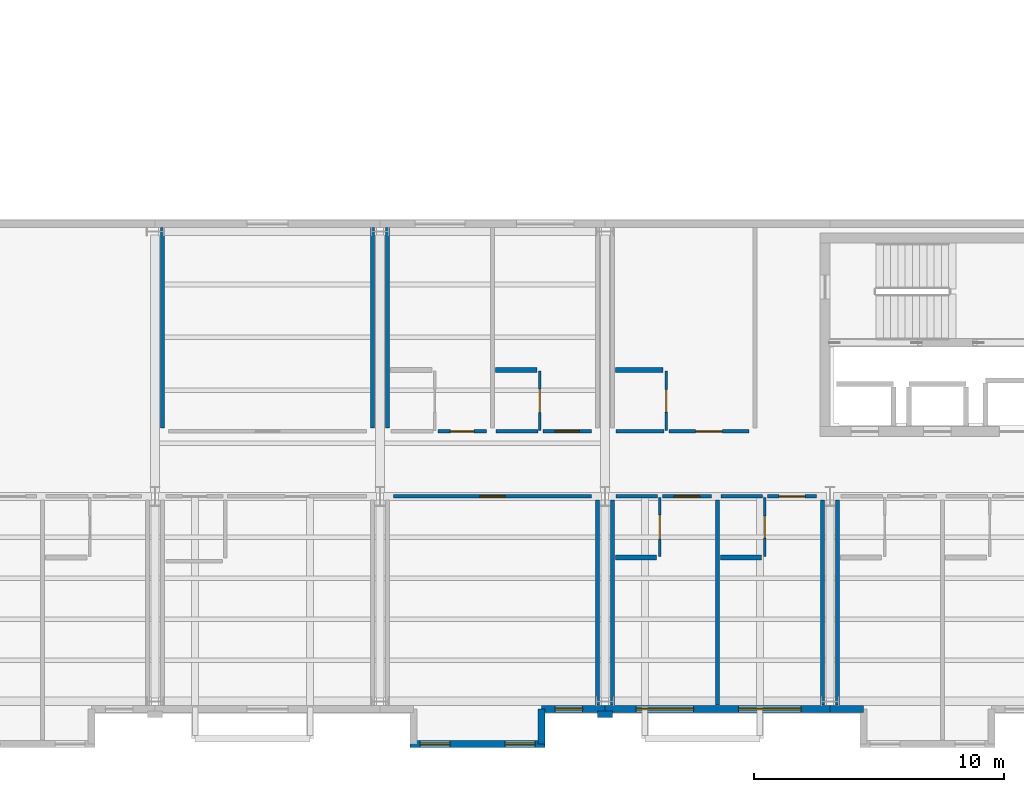
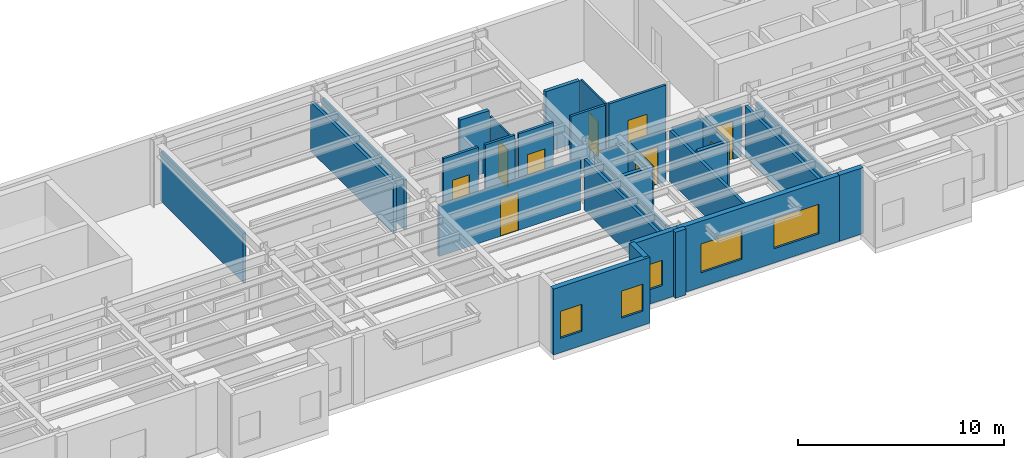
# One storey, part 39 of 59: 32 walls, 10 doors, 5 windows, 15 openings.
"""IFC4 building model written with IfcOpenShell, lengths in metres."""

from ifc_helpers import new_model, si_unit, direction, frame, frame_2d, origin, place, context, subcontext, project, spatial, rectangle, extrude, material, layer, layer_set, type_object, element, fill, save


model = new_model("IFC4")

# Units and contexts
model_context = context("Model", 3, precision=1e-05, world=origin(), true_north=direction((0.0, 1.0)))
body_context = subcontext(model_context, "Body", "Model", "MODEL_VIEW")
ifc_project = project(units=[si_unit("LENGTHUNIT", "METRE"), si_unit("AREAUNIT", "SQUARE_METRE"), si_unit("VOLUMEUNIT", "CUBIC_METRE"), si_unit("PLANEANGLEUNIT", "RADIAN"), si_unit("MASSUNIT", "GRAM", prefix="KILO")], contexts=[model_context])

# Site, building, storey
site_placement = place(None, origin())
site = spatial("IfcSite", under=ifc_project, at=site_placement, CompositionType="ELEMENT")
building_placement = place(site_placement, origin())
building = spatial("IfcBuilding", under=site, at=building_placement, Name="Sollismere Congress Hotel", CompositionType="ELEMENT")
storey_placement = place(building_placement, frame((0.0, 0.0, 15.60009765625)))
storey = spatial("IfcBuildingStorey", under=building, at=storey_placement, Name="L03", CompositionType="ELEMENT", Elevation=15.60009765625)

# Wall, opening, window
ifc_material_1 = material(Name="Colorado Buff Sandstone Rainscreen on Insulated Backup", Category="masonry")
ifc_layer_1 = layer(ifc_material_1, 0.284912109375, Name="Colorado Buff Sandstone Rainscreen on Insulated Backup")
ifc_layer_set_1 = layer_set([ifc_layer_1], Name="Colorado Buff Sandstone Rainscreen on Insulated Backup")
wall_type_1 = type_object("IfcWallType", Name="WL-EXT285", PredefinedType="STANDARD", material=ifc_layer_set_1)
wall_1_placement = place(storey_placement, frame((82.4599609375, -0.31005859375, 0.0), z_axis=(0.0, 0.0, 1.0), x_axis=(1.0, 0.0, 0.0)))
wall_1 = element("IfcWall", 1, at=wall_1_placement, inside=storey, type_object=wall_type_1, Name="Exterior wall EW-L03-404", PredefinedType="STANDARD", context=body_context, shape_type="SweptSolid", body=[
    extrude(rectangle(XDim=2.5400390625, YDim=0.284912109375, at=frame_2d((1.27001953125, 0.0))), origin(), (0.0, 0.0, 1.0), 3.89990234375),
])
opening_1_placement = place(wall_1_placement, frame((0.544921875, 0.0, 0.85009765625)))
opening_1 = element("IfcOpeningElement", 2, at=opening_1_placement, cuts=wall_1, Name="Opening W-L03-318", PredefinedType="OPENING", context=body_context, shape_type="SweptSolid", body=[
    extrude(rectangle(XDim=1.10009765625, YDim=1.5, at=frame_2d((0.550048828125, 0.75))), frame((0.0, 0.15234375, 0.0), z_axis=(0.0, -1.0, 0.0), x_axis=(1.0, 0.0, 0.0)), (0.0, 0.0, 1.0), 0.304931640625),
])
ifc_material_2 = material(Name="Thermally Broken Bronze Aluminum & Low-E Glass", Category="aluminium")
window_type_1 = type_object("IfcWindowType", Name="WN-P110x150", PartitioningType="SINGLE_PANEL", PredefinedType="WINDOW", material=ifc_material_2)
window_1_placement = place(opening_1_placement, origin())
window_1 = element("IfcWindow", 3, at=window_1_placement, inside=storey, type_object=window_type_1, Name="WIN-W-L03-318", OverallHeight=1.5, OverallWidth=1.10009765625, PartitioningType="SINGLE_PANEL", PredefinedType="WINDOW", context=body_context, shape_type="SweptSolid", body=[
    extrude(rectangle(XDim=1.10009765625, YDim=1.5, at=frame_2d((0.550048828125, 0.75))), frame((0.0, 0.030029296875, 0.0), z_axis=(0.0, -1.0, 0.0), x_axis=(1.0, 0.0, 0.0)), (0.0, 0.0, 1.0), 0.06005859375),
])
fill(opening_1, window_1)

# Wall, openings, windows
wall_2_placement = place(storey_placement, frame((77.199951171875, -1.699951171875, 0.0), z_axis=(0.0, 0.0, 1.0), x_axis=(1.0, 0.0, 0.0)))
wall_2 = element("IfcWall", 4, at=wall_2_placement, inside=storey, type_object=wall_type_1, Name="Exterior wall EW-L03-405", PredefinedType="STANDARD", context=body_context, shape_type="SweptSolid", body=[
    extrude(rectangle(XDim=5.400146484375, YDim=0.284912109375, at=frame_2d((2.7001953125, 0.0))), origin(), (0.0, 0.0, 1.0), 3.89990234375),
])
opening_2_placement = place(wall_2_placement, frame((0.39990234375, 0.0, 0.85009765625)))
opening_2 = element("IfcOpeningElement", 5, at=opening_2_placement, cuts=wall_2, Name="Opening W-L03-319", PredefinedType="OPENING", context=body_context, shape_type="SweptSolid", body=[
    extrude(rectangle(XDim=1.199951171875, YDim=1.60009765625, at=frame_2d((0.60009765625, 0.800048828125))), frame((0.0, 0.15234375, 0.0), z_axis=(0.0, -1.0, 0.0), x_axis=(1.0, 0.0, 0.0)), (0.0, 0.0, 1.0), 0.304931640625),
])
opening_3_placement = place(wall_2_placement, frame((3.800048828125, 0.0, 0.85009765625)))
opening_3 = element("IfcOpeningElement", 6, at=opening_3_placement, cuts=wall_2, Name="Opening W-L03-320", PredefinedType="OPENING", context=body_context, shape_type="SweptSolid", body=[
    extrude(rectangle(XDim=1.199951171875, YDim=1.60009765625, at=frame_2d((0.60009765625, 0.800048828125))), frame((0.0, 0.15234375, 0.0), z_axis=(0.0, -1.0, 0.0), x_axis=(1.0, 0.0, 0.0)), (0.0, 0.0, 1.0), 0.304931640625),
])
window_type_2 = type_object("IfcWindowType", Name="WN-P120x160", PartitioningType="SINGLE_PANEL", PredefinedType="WINDOW", material=ifc_material_2)
window_2_placement = place(opening_2_placement, origin())
window_2 = element("IfcWindow", 7, at=window_2_placement, inside=storey, type_object=window_type_2, Name="WIN-W-L03-319", OverallHeight=1.60009765625, OverallWidth=1.199951171875, PartitioningType="SINGLE_PANEL", PredefinedType="WINDOW", context=body_context, shape_type="SweptSolid", body=[
    extrude(rectangle(XDim=1.199951171875, YDim=1.60009765625, at=frame_2d((0.60009765625, 0.800048828125))), frame((0.0, 0.030029296875, 0.0), z_axis=(0.0, -1.0, 0.0), x_axis=(1.0, 0.0, 0.0)), (0.0, 0.0, 1.0), 0.06005859375),
])
fill(opening_2, window_2)
window_3_placement = place(opening_3_placement, origin())
window_3 = element("IfcWindow", 8, at=window_3_placement, inside=storey, type_object=window_type_2, Name="WIN-W-L03-320", OverallHeight=1.60009765625, OverallWidth=1.199951171875, PartitioningType="SINGLE_PANEL", PredefinedType="WINDOW", context=body_context, shape_type="SweptSolid", body=[
    extrude(rectangle(XDim=1.199951171875, YDim=1.60009765625, at=frame_2d((0.60009765625, 0.800048828125))), frame((0.0, 0.030029296875, 0.0), z_axis=(0.0, -1.0, 0.0), x_axis=(1.0, 0.0, 0.0)), (0.0, 0.0, 1.0), 0.06005859375),
])
fill(opening_3, window_3)

# Wall
wall_3_placement = place(storey_placement, frame((82.4599609375, -1.699951171875, 0.0), z_axis=(0.0, 0.0, 1.0), x_axis=(0.0, 1.0, 0.0)))
element("IfcWall", 9, at=wall_3_placement, inside=storey, type_object=wall_type_1, Name="Exterior wall EW-L03-407", PredefinedType="STANDARD", context=body_context, shape_type="SweptSolid", body=[
    extrude(rectangle(XDim=1.389892578125, YDim=0.284912109375, at=frame_2d((0.69482421875, 0.0))), origin(), (0.0, 0.0, 1.0), 3.89990234375),
])

# Wall, openings, windows
wall_4_placement = place(storey_placement, frame((85.0, -0.31005859375, 0.0), z_axis=(0.0, 0.0, 1.0), x_axis=(1.0, 0.0, 0.0)))
wall_4 = element("IfcWall", 10, at=wall_4_placement, inside=storey, type_object=wall_type_1, Name="Exterior wall EW-L03-408", PredefinedType="STANDARD", context=body_context, shape_type="SweptSolid", body=[
    extrude(rectangle(XDim=9.0, YDim=0.284912109375, at=frame_2d((4.5, 0.0))), origin(), (0.0, 0.0, 1.0), 3.89990234375),
])
opening_4_placement = place(wall_4_placement, frame((1.25, 0.0, 0.85009765625)))
opening_4 = element("IfcOpeningElement", 11, at=opening_4_placement, cuts=wall_4, Name="Opening W-L03-321", PredefinedType="OPENING", context=body_context, shape_type="SweptSolid", body=[
    extrude(rectangle(XDim=2.300048828125, YDim=1.699951171875, at=frame_2d((1.14990234375, 0.85009765625))), frame((0.0, 0.15234375, 0.0), z_axis=(0.0, -1.0, 0.0), x_axis=(1.0, 0.0, 0.0)), (0.0, 0.0, 1.0), 0.304931640625),
])
opening_5_placement = place(wall_4_placement, frame((5.35009765625, 0.0, 0.85009765625)))
opening_5 = element("IfcOpeningElement", 12, at=opening_5_placement, cuts=wall_4, Name="Opening W-L03-322", PredefinedType="OPENING", context=body_context, shape_type="SweptSolid", body=[
    extrude(rectangle(XDim=2.5, YDim=1.75, at=frame_2d((1.25, 0.875))), frame((0.0, 0.15234375, 0.0), z_axis=(0.0, -1.0, 0.0), x_axis=(1.0, 0.0, 0.0)), (0.0, 0.0, 1.0), 0.304931640625),
])
window_type_3 = type_object("IfcWindowType", Name="WN-P230x170", PartitioningType="SINGLE_PANEL", PredefinedType="WINDOW", material=ifc_material_2)
window_4_placement = place(opening_4_placement, origin())
window_4 = element("IfcWindow", 13, at=window_4_placement, inside=storey, type_object=window_type_3, Name="WIN-W-L03-321", OverallHeight=1.699951171875, OverallWidth=2.300048828125, PartitioningType="SINGLE_PANEL", PredefinedType="WINDOW", context=body_context, shape_type="SweptSolid", body=[
    extrude(rectangle(XDim=2.300048828125, YDim=1.699951171875, at=frame_2d((1.14990234375, 0.85009765625))), frame((0.0, 0.030029296875, 0.0), z_axis=(0.0, -1.0, 0.0), x_axis=(1.0, 0.0, 0.0)), (0.0, 0.0, 1.0), 0.06005859375),
])
fill(opening_4, window_4)
window_type_4 = type_object("IfcWindowType", Name="WN-P250x175", PartitioningType="SINGLE_PANEL", PredefinedType="WINDOW", material=ifc_material_2)
window_5_placement = place(opening_5_placement, origin())
window_5 = element("IfcWindow", 14, at=window_5_placement, inside=storey, type_object=window_type_4, Name="WIN-W-L03-322", OverallHeight=1.75, OverallWidth=2.5, PartitioningType="SINGLE_PANEL", PredefinedType="WINDOW", context=body_context, shape_type="SweptSolid", body=[
    extrude(rectangle(XDim=2.5, YDim=1.75, at=frame_2d((1.25, 0.875))), frame((0.0, 0.030029296875, 0.0), z_axis=(0.0, -1.0, 0.0), x_axis=(1.0, 0.0, 0.0)), (0.0, 0.0, 1.0), 0.06005859375),
])
fill(opening_5, window_5)

# Walls
wall_5_placement = place(storey_placement, frame((94.0, -0.31005859375, 0.0), z_axis=(0.0, 0.0, 1.0), x_axis=(1.0, 0.0, 0.0)))
element("IfcWall", 15, at=wall_5_placement, inside=storey, type_object=wall_type_1, Name="Exterior wall EW-L03-410", PredefinedType="STANDARD", context=body_context, shape_type="SweptSolid", body=[
    extrude(rectangle(XDim=1.340087890625, YDim=0.284912109375, at=frame_2d((0.669921875, 0.0))), origin(), (0.0, 0.0, 1.0), 3.89990234375),
])
ifc_material_3 = material(Name="Carved Travertine Pilaster & Frieze Assembly", Category="masonry")
ifc_layer_2 = layer(ifc_material_3, 0.260009765625, Name="Carved Travertine Pilaster & Frieze Assembly")
ifc_layer_set_2 = layer_set([ifc_layer_2], Name="Carved Travertine Pilaster & Frieze Assembly")
wall_type_2 = type_object("IfcWallType", Name="WL-PIL280", PredefinedType="ELEMENTEDWALL", material=ifc_layer_set_2)
wall_6_placement = place(storey_placement, frame((84.699951171875, -0.52001953125, 0.0), z_axis=(0.0, 0.0, 1.0), x_axis=(1.0, 0.0, 0.0)))
element("IfcWall", 16, at=wall_6_placement, inside=storey, type_object=wall_type_2, Name="Exterior wall EW-L03-409", PredefinedType="ELEMENTEDWALL", context=body_context, shape_type="SweptSolid", body=[
    extrude(rectangle(XDim=0.60009765625, YDim=0.260009765625, at=frame_2d((0.300048828125, 0.0))), origin(), (0.0, 0.0, 1.0), 3.89990234375),
])
ifc_material_4 = material(Name="Moisture-Resistant Shaft Gypsum Assembly")
ifc_layer_3 = layer(ifc_material_4, 0.199951171875, Name="Moisture-Resistant Shaft Gypsum Assembly")
ifc_layer_set_3 = layer_set([ifc_layer_3], Name="Moisture-Resistant Shaft Gypsum Assembly")
wall_type_3 = type_object("IfcWallType", Name="WL-PLM200", PredefinedType="PLUMBINGWALL", material=ifc_layer_set_3)
wall_7_placement = place(storey_placement, frame((80.6201171875, 13.25, 0.0), z_axis=(0.0, 0.0, 1.0), x_axis=(1.0, 0.0, 0.0)))
element("IfcWall", 17, at=wall_7_placement, inside=storey, type_object=wall_type_3, Name="Interior wall IW-L03-1275", PredefinedType="PLUMBINGWALL", context=body_context, shape_type="SweptSolid", body=[
    extrude(rectangle(XDim=1.64990234375, YDim=0.199951171875, at=frame_2d((0.824951171875, 0.0))), origin(), (0.0, 0.0, 1.0), 3.599853515625),
])
wall_8_placement = place(storey_placement, frame((85.419921875, 5.75, 0.0), z_axis=(0.0, 0.0, 1.0), x_axis=(1.0, 0.0, 0.0)))
element("IfcWall", 18, at=wall_8_placement, inside=storey, type_object=wall_type_3, Name="Interior wall IW-L03-1281", PredefinedType="PLUMBINGWALL", context=body_context, shape_type="SweptSolid", body=[
    extrude(rectangle(XDim=1.650146484375, YDim=0.199951171875, at=frame_2d((0.8251953125, 0.0))), origin(), (0.0, 0.0, 1.0), 3.15283203125),
])
wall_9_placement = place(storey_placement, frame((89.6201171875, 5.75, 0.0), z_axis=(0.0, 0.0, 1.0), x_axis=(1.0, 0.0, 0.0)))
element("IfcWall", 19, at=wall_9_placement, inside=storey, type_object=wall_type_3, Name="Interior wall IW-L03-1286", PredefinedType="PLUMBINGWALL", context=body_context, shape_type="SweptSolid", body=[
    extrude(rectangle(XDim=1.64990234375, YDim=0.199951171875, at=frame_2d((0.824951171875, 0.0))), origin(), (0.0, 0.0, 1.0), 3.15283203125),
])
wall_10_placement = place(storey_placement, frame((85.419921875, 13.25, 0.0), z_axis=(0.0, 0.0, 1.0), x_axis=(1.0, 0.0, 0.0)))
element("IfcWall", 20, at=wall_10_placement, inside=storey, type_object=wall_type_3, Name="Interior wall IW-L03-1292", PredefinedType="PLUMBINGWALL", context=body_context, shape_type="SweptSolid", body=[
    extrude(rectangle(XDim=1.91015625, YDim=0.199951171875, at=frame_2d((0.955078125, 0.0))), origin(), (0.0, 0.0, 1.0), 3.599853515625),
])

# Wall, opening, door
ifc_material_5 = material(Name="Moisture-Resistant Gypsum Partition")
ifc_layer_4 = layer(ifc_material_5, 0.10009765625, Name="Moisture-Resistant Gypsum Partition")
ifc_layer_set_4 = layer_set([ifc_layer_4], Name="Moisture-Resistant Gypsum Partition")
wall_type_4 = type_object("IfcWallType", Name="WL-PRT100", PredefinedType="PARTITIONING", material=ifc_layer_set_4)
wall_11_placement = place(storey_placement, frame((82.389892578125, 10.840087890625, 0.0), z_axis=(0.0, 0.0, 1.0), x_axis=(0.0, 1.0, 0.0)))
wall_11 = element("IfcWall", 21, at=wall_11_placement, inside=storey, type_object=wall_type_4, Name="Interior wall IW-L03-1274", PredefinedType="PARTITIONING", context=body_context, shape_type="SweptSolid", body=[
    extrude(rectangle(XDim=2.369873046875, YDim=0.10009765625, at=frame_2d((1.18505859375, 0.0))), origin(), (0.0, 0.0, 1.0), 3.2080078125),
])
opening_6_placement = place(wall_11_placement, frame((0.719970703125, 0.0, 0.0)))
opening_6 = element("IfcOpeningElement", 22, at=opening_6_placement, cuts=wall_11, Name="Opening D-L03-0450", PredefinedType="OPENING", context=body_context, shape_type="SweptSolid", body=[
    extrude(rectangle(XDim=0.929931640625, YDim=2.219970703125, at=frame_2d((0.46484375, 1.10986328125))), frame((0.0, 0.06005859375, 0.0), z_axis=(0.0, -1.0, 0.0), x_axis=(1.0, 0.0, 0.0)), (0.0, 0.0, 1.0), 0.1201171875),
])
ifc_material_6 = material(Name="Moisture-Sealed Timber Bathroom Door", Category="wood")
door_type_1 = type_object("IfcDoorType", Name="DR-BT07", OperationType="NOTDEFINED", PredefinedType="DOOR", material=ifc_material_6)
door_1_placement = place(opening_6_placement, origin())
door_1 = element("IfcDoor", 23, at=door_1_placement, inside=storey, type_object=door_type_1, Name="En-suite bathroom door D-L03-0450", OperationType="SINGLE_SWING_LEFT", OverallHeight=2.219970703125, OverallWidth=0.929931640625, PredefinedType="DOOR", context=body_context, shape_type="SweptSolid", body=[
    extrude(rectangle(XDim=0.929931640625, YDim=2.219970703125, at=frame_2d((0.46484375, 1.10986328125))), frame((0.0, 0.02490234375, 0.0), z_axis=(0.0, -1.0, 0.0), x_axis=(1.0, 0.0, 0.0)), (0.0, 0.0, 1.0), 0.050048828125),
])
fill(opening_6, door_1)

wall_12_placement = place(storey_placement, frame((87.18994140625, 5.7900390625, 0.0), z_axis=(0.0, 0.0, 1.0), x_axis=(0.0, 1.0, 0.0)))
wall_12 = element("IfcWall", 24, at=wall_12_placement, inside=storey, type_object=wall_type_4, Name="Interior wall IW-L03-1280", PredefinedType="PARTITIONING", context=body_context, shape_type="SweptSolid", body=[
    extrude(rectangle(XDim=2.369873046875, YDim=0.10009765625, at=frame_2d((1.18505859375, 0.0))), origin(), (0.0, 0.0, 1.0), 3.012939453125),
])
opening_7_placement = place(wall_12_placement, frame((0.7080078125, 0.0, 0.0)))
opening_7 = element("IfcOpeningElement", 25, at=opening_7_placement, cuts=wall_12, Name="Opening D-L03-0452", PredefinedType="OPENING", context=body_context, shape_type="SweptSolid", body=[
    extrude(rectangle(XDim=0.955078125, YDim=2.219970703125, at=frame_2d((0.4775390625, 1.10986328125))), frame((0.0, 0.06005859375, 0.0), z_axis=(0.0, -1.0, 0.0), x_axis=(1.0, 0.0, 0.0)), (0.0, 0.0, 1.0), 0.1201171875),
])
door_type_2 = type_object("IfcDoorType", Name="DR-BT08", OperationType="NOTDEFINED", PredefinedType="DOOR", material=ifc_material_6)
door_2_placement = place(opening_7_placement, origin())
door_2 = element("IfcDoor", 26, at=door_2_placement, inside=storey, type_object=door_type_2, Name="En-suite bathroom door D-L03-0452", OperationType="SINGLE_SWING_LEFT", OverallHeight=2.219970703125, OverallWidth=0.955078125, PredefinedType="DOOR", context=body_context, shape_type="SweptSolid", body=[
    extrude(rectangle(XDim=0.955078125, YDim=2.219970703125, at=frame_2d((0.4775390625, 1.10986328125))), frame((0.0, 0.02490234375, 0.0), z_axis=(0.0, -1.0, 0.0), x_axis=(1.0, 0.0, 0.0)), (0.0, 0.0, 1.0), 0.050048828125),
])
fill(opening_7, door_2)

wall_13_placement = place(storey_placement, frame((91.389892578125, 5.7900390625, 0.0), z_axis=(0.0, 0.0, 1.0), x_axis=(0.0, 1.0, 0.0)))
wall_13 = element("IfcWall", 27, at=wall_13_placement, inside=storey, type_object=wall_type_4, Name="Interior wall IW-L03-1285", PredefinedType="PARTITIONING", context=body_context, shape_type="SweptSolid", body=[
    extrude(rectangle(XDim=2.369873046875, YDim=0.10009765625, at=frame_2d((1.18505859375, 0.0))), origin(), (0.0, 0.0, 1.0), 3.012939453125),
])
opening_8_placement = place(wall_13_placement, frame((0.7451171875, 0.0, 0.0)))
opening_8 = element("IfcOpeningElement", 28, at=opening_8_placement, cuts=wall_13, Name="Opening D-L03-0454", PredefinedType="OPENING", context=body_context, shape_type="SweptSolid", body=[
    extrude(rectangle(XDim=0.8798828125, YDim=2.10009765625, at=frame_2d((0.43994140625, 1.050048828125))), frame((0.0, 0.06005859375, 0.0), z_axis=(0.0, -1.0, 0.0), x_axis=(1.0, 0.0, 0.0)), (0.0, 0.0, 1.0), 0.1201171875),
])
door_type_3 = type_object("IfcDoorType", Name="DR-BT01", OperationType="NOTDEFINED", PredefinedType="DOOR", material=ifc_material_6)
door_3_placement = place(opening_8_placement, origin())
door_3 = element("IfcDoor", 29, at=door_3_placement, inside=storey, type_object=door_type_3, Name="En-suite bathroom door D-L03-0454", OperationType="SINGLE_SWING_LEFT", OverallHeight=2.10009765625, OverallWidth=0.8798828125, PredefinedType="DOOR", context=body_context, shape_type="SweptSolid", body=[
    extrude(rectangle(XDim=0.8798828125, YDim=2.10009765625, at=frame_2d((0.43994140625, 1.050048828125))), frame((0.0, 0.02490234375, 0.0), z_axis=(0.0, -1.0, 0.0), x_axis=(1.0, 0.0, 0.0)), (0.0, 0.0, 1.0), 0.050048828125),
])
fill(opening_8, door_3)

wall_14_placement = place(storey_placement, frame((87.449951171875, 10.840087890625, 0.0), z_axis=(0.0, 0.0, 1.0), x_axis=(0.0, 1.0, 0.0)))
wall_14 = element("IfcWall", 30, at=wall_14_placement, inside=storey, type_object=wall_type_4, Name="Interior wall IW-L03-1291", PredefinedType="PARTITIONING", context=body_context, shape_type="SweptSolid", body=[
    extrude(rectangle(XDim=2.369873046875, YDim=0.10009765625, at=frame_2d((1.18505859375, 0.0))), origin(), (0.0, 0.0, 1.0), 3.599853515625),
])
opening_9_placement = place(wall_14_placement, frame((0.73291015625, 0.0, 0.0)))
opening_9 = element("IfcOpeningElement", 31, at=opening_9_placement, cuts=wall_14, Name="Opening D-L03-0456", PredefinedType="OPENING", context=body_context, shape_type="SweptSolid", body=[
    extrude(rectangle(XDim=0.905029296875, YDim=2.10009765625, at=frame_2d((0.45263671875, 1.050048828125))), frame((0.0, 0.06005859375, 0.0), z_axis=(0.0, -1.0, 0.0), x_axis=(1.0, 0.0, 0.0)), (0.0, 0.0, 1.0), 0.1201171875),
])
door_type_4 = type_object("IfcDoorType", Name="DR-BT02", OperationType="NOTDEFINED", PredefinedType="DOOR", material=ifc_material_6)
door_4_placement = place(opening_9_placement, origin())
door_4 = element("IfcDoor", 32, at=door_4_placement, inside=storey, type_object=door_type_4, Name="En-suite bathroom door D-L03-0456", OperationType="SINGLE_SWING_LEFT", OverallHeight=2.10009765625, OverallWidth=0.905029296875, PredefinedType="DOOR", context=body_context, shape_type="SweptSolid", body=[
    extrude(rectangle(XDim=0.905029296875, YDim=2.10009765625, at=frame_2d((0.45263671875, 1.050048828125))), frame((0.0, 0.02490234375, 0.0), z_axis=(0.0, -1.0, 0.0), x_axis=(1.0, 0.0, 0.0)), (0.0, 0.0, 1.0), 0.050048828125),
])
fill(opening_9, door_4)

ifc_material_7 = material(Name="Fire-Rated Gypsum Partition")
ifc_layer_5 = layer(ifc_material_7, 0.139892578125, Name="Fire-Rated Gypsum Partition")
ifc_layer_set_5 = layer_set([ifc_layer_5], Name="Fire-Rated Gypsum Partition")
wall_type_5 = type_object("IfcWallType", Name="WL-PRT140R", PredefinedType="PARTITIONING", material=ifc_layer_set_5)
wall_15_placement = place(storey_placement, frame((78.31005859375, 10.800048828125, 0.0), z_axis=(0.0, 0.0, 1.0), x_axis=(1.0, 0.0, 0.0)))
wall_15 = element("IfcWall", 33, at=wall_15_placement, inside=storey, type_object=wall_type_5, Name="Interior wall IW-L03-1266", PredefinedType="PARTITIONING", context=body_context, shape_type="SweptSolid", body=[
    extrude(rectangle(XDim=1.949951171875, YDim=0.139892578125, at=frame_2d((0.97509765625, 0.0))), origin(), (0.0, 0.0, 1.0), 3.599853515625),
])
opening_10_placement = place(wall_15_placement, frame((0.5, 0.0, 0.0)))
opening_10 = element("IfcOpeningElement", 34, at=opening_10_placement, cuts=wall_15, Name="Opening D-L03-0447", PredefinedType="OPENING", context=body_context, shape_type="SweptSolid", body=[
    extrude(rectangle(XDim=0.949951171875, YDim=2.14990234375, at=frame_2d((0.47509765625, 1.074951171875))), frame((0.0, 0.079833984375, 0.0), z_axis=(0.0, -1.0, 0.0), x_axis=(1.0, 0.0, 0.0)), (0.0, 0.0, 1.0), 0.159912109375),
])
ifc_material_8 = material(Name="Solid-Core Acoustic Walnut Guestroom Entry Door")
door_type_5 = type_object("IfcDoorType", Name="DR-KY02", OperationType="NOTDEFINED", PredefinedType="DOOR", material=ifc_material_8)
door_5_placement = place(opening_10_placement, origin())
door_5 = element("IfcDoor", 35, at=door_5_placement, inside=storey, type_object=door_type_5, Name="Hotel room entry door D-L03-0447", OperationType="SINGLE_SWING_RIGHT", OverallHeight=2.14990234375, OverallWidth=0.949951171875, PredefinedType="DOOR", context=body_context, shape_type="SweptSolid", body=[
    extrude(rectangle(XDim=0.949951171875, YDim=2.14990234375, at=frame_2d((0.47509765625, 1.074951171875))), frame((0.0, 0.02490234375, 0.0), z_axis=(0.0, -1.0, 0.0), x_axis=(1.0, 0.0, 0.0)), (0.0, 0.0, 1.0), 0.050048828125),
])
fill(opening_10, door_5)

# Wall
wall_16_placement = place(storey_placement, frame((80.639892578125, 10.800048828125, 0.0), z_axis=(0.0, 0.0, 1.0), x_axis=(1.0, 0.0, 0.0)))
element("IfcWall", 36, at=wall_16_placement, inside=storey, type_object=wall_type_5, Name="Interior wall IW-L03-1271", PredefinedType="PARTITIONING", context=body_context, shape_type="SweptSolid", body=[
    extrude(rectangle(XDim=1.670166015625, YDim=0.139892578125, at=frame_2d((0.8349609375, 0.0))), origin(), (0.0, 0.0, 1.0), 3.599853515625),
])

# Wall, opening, door
wall_17_placement = place(storey_placement, frame((82.510009765625, 10.800048828125, 0.0), z_axis=(0.0, 0.0, 1.0), x_axis=(1.0, 0.0, 0.0)))
wall_17 = element("IfcWall", 37, at=wall_17_placement, inside=storey, type_object=wall_type_5, Name="Interior wall IW-L03-1272", PredefinedType="PARTITIONING", context=body_context, shape_type="SweptSolid", body=[
    extrude(rectangle(XDim=1.949951171875, YDim=0.139892578125, at=frame_2d((0.97509765625, 0.0))), origin(), (0.0, 0.0, 1.0), 3.599853515625),
])
opening_11_placement = place(wall_17_placement, frame((0.485107421875, 0.0, 0.0)))
opening_11 = element("IfcOpeningElement", 38, at=opening_11_placement, cuts=wall_17, Name="Opening D-L03-0449", PredefinedType="OPENING", context=body_context, shape_type="SweptSolid", body=[
    extrude(rectangle(XDim=0.97998046875, YDim=2.199951171875, at=frame_2d((0.489990234375, 1.10009765625))), frame((0.0, 0.079833984375, 0.0), z_axis=(0.0, -1.0, 0.0), x_axis=(1.0, 0.0, 0.0)), (0.0, 0.0, 1.0), 0.159912109375),
])
door_type_6 = type_object("IfcDoorType", Name="DR-KY03", OperationType="NOTDEFINED", PredefinedType="DOOR", material=ifc_material_8)
door_6_placement = place(opening_11_placement, origin())
door_6 = element("IfcDoor", 39, at=door_6_placement, inside=storey, type_object=door_type_6, Name="Hotel room entry door D-L03-0449", OperationType="SINGLE_SWING_RIGHT", OverallHeight=2.199951171875, OverallWidth=0.97998046875, PredefinedType="DOOR", context=body_context, shape_type="SweptSolid", body=[
    extrude(rectangle(XDim=0.97998046875, YDim=2.199951171875, at=frame_2d((0.489990234375, 1.10009765625))), frame((0.0, 0.02490234375, 0.0), z_axis=(0.0, -1.0, 0.0), x_axis=(1.0, 0.0, 0.0)), (0.0, 0.0, 1.0), 0.050048828125),
])
fill(opening_11, door_6)

# Wall
wall_18_placement = place(storey_placement, frame((85.43994140625, 8.199951171875, 0.0), z_axis=(0.0, 0.0, 1.0), x_axis=(1.0, 0.0, 0.0)))
element("IfcWall", 40, at=wall_18_placement, inside=storey, type_object=wall_type_5, Name="Interior wall IW-L03-1276", PredefinedType="PARTITIONING", context=body_context, shape_type="SweptSolid", body=[
    extrude(rectangle(XDim=1.670166015625, YDim=0.139892578125, at=frame_2d((0.8349609375, 0.0))), origin(), (0.0, 0.0, 1.0), 3.012939453125),
])

# Wall, opening, door
wall_19_placement = place(storey_placement, frame((87.31005859375, 8.199951171875, 0.0), z_axis=(0.0, 0.0, 1.0), x_axis=(1.0, 0.0, 0.0)))
wall_19 = element("IfcWall", 41, at=wall_19_placement, inside=storey, type_object=wall_type_5, Name="Interior wall IW-L03-1277", PredefinedType="PARTITIONING", context=body_context, shape_type="SweptSolid", body=[
    extrude(rectangle(XDim=1.949951171875, YDim=0.139892578125, at=frame_2d((0.97509765625, 0.0))), origin(), (0.0, 0.0, 1.0), 3.012939453125),
])
opening_12_placement = place(wall_19_placement, frame((0.469970703125, 0.0, 0.0)))
opening_12 = element("IfcOpeningElement", 42, at=opening_12_placement, cuts=wall_19, Name="Opening D-L03-0451", PredefinedType="OPENING", context=body_context, shape_type="SweptSolid", body=[
    extrude(rectangle(XDim=1.010009765625, YDim=2.199951171875, at=frame_2d((0.5048828125, 1.10009765625))), frame((0.0, 0.079833984375, 0.0), z_axis=(0.0, -1.0, 0.0), x_axis=(1.0, 0.0, 0.0)), (0.0, 0.0, 1.0), 0.159912109375),
])
door_type_7 = type_object("IfcDoorType", Name="DR-KY04", OperationType="NOTDEFINED", PredefinedType="DOOR", material=ifc_material_8)
door_7_placement = place(opening_12_placement, origin())
door_7 = element("IfcDoor", 43, at=door_7_placement, inside=storey, type_object=door_type_7, Name="Hotel room entry door D-L03-0451", OperationType="SINGLE_SWING_RIGHT", OverallHeight=2.199951171875, OverallWidth=1.010009765625, PredefinedType="DOOR", context=body_context, shape_type="SweptSolid", body=[
    extrude(rectangle(XDim=1.010009765625, YDim=2.199951171875, at=frame_2d((0.5048828125, 1.10009765625))), frame((0.0, 0.02490234375, 0.0), z_axis=(0.0, -1.0, 0.0), x_axis=(1.0, 0.0, 0.0)), (0.0, 0.0, 1.0), 0.050048828125),
])
fill(opening_12, door_7)

# Wall
wall_20_placement = place(storey_placement, frame((89.639892578125, 8.199951171875, 0.0), z_axis=(0.0, 0.0, 1.0), x_axis=(1.0, 0.0, 0.0)))
element("IfcWall", 44, at=wall_20_placement, inside=storey, type_object=wall_type_5, Name="Interior wall IW-L03-1282", PredefinedType="PARTITIONING", context=body_context, shape_type="SweptSolid", body=[
    extrude(rectangle(XDim=1.670166015625, YDim=0.139892578125, at=frame_2d((0.8349609375, 0.0))), origin(), (0.0, 0.0, 1.0), 3.012939453125),
])

# Wall, opening, door
wall_21_placement = place(storey_placement, frame((91.510009765625, 8.199951171875, 0.0), z_axis=(0.0, 0.0, 1.0), x_axis=(1.0, 0.0, 0.0)))
wall_21 = element("IfcWall", 45, at=wall_21_placement, inside=storey, type_object=wall_type_5, Name="Interior wall IW-L03-1283", PredefinedType="PARTITIONING", context=body_context, shape_type="SweptSolid", body=[
    extrude(rectangle(XDim=1.949951171875, YDim=0.139892578125, at=frame_2d((0.97509765625, 0.0))), origin(), (0.0, 0.0, 1.0), 3.012939453125),
])
opening_13_placement = place(wall_21_placement, frame((0.455078125, 0.0, 0.0)))
opening_13 = element("IfcOpeningElement", 46, at=opening_13_placement, cuts=wall_21, Name="Opening D-L03-0453", PredefinedType="OPENING", context=body_context, shape_type="SweptSolid", body=[
    extrude(rectangle(XDim=1.0400390625, YDim=2.25, at=frame_2d((0.52001953125, 1.125))), frame((0.0, 0.079833984375, 0.0), z_axis=(0.0, -1.0, 0.0), x_axis=(1.0, 0.0, 0.0)), (0.0, 0.0, 1.0), 0.159912109375),
])
door_type_8 = type_object("IfcDoorType", Name="DR-KY05", OperationType="NOTDEFINED", PredefinedType="DOOR", material=ifc_material_8)
door_8_placement = place(opening_13_placement, origin())
door_8 = element("IfcDoor", 47, at=door_8_placement, inside=storey, type_object=door_type_8, Name="Hotel room entry door D-L03-0453", OperationType="SINGLE_SWING_RIGHT", OverallHeight=2.25, OverallWidth=1.0400390625, PredefinedType="DOOR", context=body_context, shape_type="SweptSolid", body=[
    extrude(rectangle(XDim=1.0400390625, YDim=2.25, at=frame_2d((0.52001953125, 1.125))), frame((0.0, 0.02490234375, 0.0), z_axis=(0.0, -1.0, 0.0), x_axis=(1.0, 0.0, 0.0)), (0.0, 0.0, 1.0), 0.050048828125),
])
fill(opening_13, door_8)

# Wall
wall_22_placement = place(storey_placement, frame((85.43994140625, 10.800048828125, 0.0), z_axis=(0.0, 0.0, 1.0), x_axis=(1.0, 0.0, 0.0)))
element("IfcWall", 48, at=wall_22_placement, inside=storey, type_object=wall_type_5, Name="Interior wall IW-L03-1287", PredefinedType="PARTITIONING", context=body_context, shape_type="SweptSolid", body=[
    extrude(rectangle(XDim=1.93017578125, YDim=0.139892578125, at=frame_2d((0.965087890625, 0.0))), origin(), (0.0, 0.0, 1.0), 3.599853515625),
])

# Wall, opening, door
wall_23_placement = place(storey_placement, frame((87.570068359375, 10.800048828125, 0.0), z_axis=(0.0, 0.0, 1.0), x_axis=(1.0, 0.0, 0.0)))
wall_23 = element("IfcWall", 49, at=wall_23_placement, inside=storey, type_object=wall_type_5, Name="Interior wall IW-L03-1288", PredefinedType="PARTITIONING", context=body_context, shape_type="SweptSolid", body=[
    extrude(rectangle(XDim=3.18994140625, YDim=0.139892578125, at=frame_2d((1.594970703125, 0.0))), origin(), (0.0, 0.0, 1.0), 3.599853515625),
])
opening_14_placement = place(wall_23_placement, frame((1.06005859375, 0.0, 0.0)))
opening_14 = element("IfcOpeningElement", 50, at=opening_14_placement, cuts=wall_23, Name="Opening D-L03-0455", PredefinedType="OPENING", context=body_context, shape_type="SweptSolid", body=[
    extrude(rectangle(XDim=1.070068359375, YDim=2.25, at=frame_2d((0.53515625, 1.125))), frame((0.0, 0.079833984375, 0.0), z_axis=(0.0, -1.0, 0.0), x_axis=(1.0, 0.0, 0.0)), (0.0, 0.0, 1.0), 0.159912109375),
])
door_type_9 = type_object("IfcDoorType", Name="DR-KY06", OperationType="NOTDEFINED", PredefinedType="DOOR", material=ifc_material_8)
door_9_placement = place(opening_14_placement, origin())
door_9 = element("IfcDoor", 51, at=door_9_placement, inside=storey, type_object=door_type_9, Name="Hotel room entry door D-L03-0455", OperationType="SINGLE_SWING_RIGHT", OverallHeight=2.25, OverallWidth=1.070068359375, PredefinedType="DOOR", context=body_context, shape_type="SweptSolid", body=[
    extrude(rectangle(XDim=1.070068359375, YDim=2.25, at=frame_2d((0.53515625, 1.125))), frame((0.0, 0.02490234375, 0.0), z_axis=(0.0, -1.0, 0.0), x_axis=(1.0, 0.0, 0.0)), (0.0, 0.0, 1.0), 0.050048828125),
])
fill(opening_14, door_9)

wall_24_placement = place(storey_placement, frame((76.5400390625, 8.199951171875, 0.0), z_axis=(0.0, 0.0, 1.0), x_axis=(1.0, 0.0, 0.0)))
wall_24 = element("IfcWall", 52, at=wall_24_placement, inside=storey, type_object=wall_type_5, Name="Interior wall IW-L03-1480", PredefinedType="PARTITIONING", context=body_context, shape_type="SweptSolid", body=[
    extrude(rectangle(XDim=7.919921875, YDim=0.139892578125, at=frame_2d((3.9599609375, 0.0))), origin(), (0.0, 0.0, 1.0), 3.012939453125),
])
opening_15_placement = place(wall_24_placement, frame((3.455078125, 0.0, 0.0)))
opening_15 = element("IfcOpeningElement", 53, at=opening_15_placement, cuts=wall_24, Name="Opening D-L03-0522", PredefinedType="OPENING", context=body_context, shape_type="SweptSolid", body=[
    extrude(rectangle(XDim=1.010009765625, YDim=2.199951171875, at=frame_2d((0.5048828125, 1.10009765625))), frame((0.0, 0.079833984375, 0.0), z_axis=(0.0, -1.0, 0.0), x_axis=(1.0, 0.0, 0.0)), (0.0, 0.0, 1.0), 0.159912109375),
])
door_10_placement = place(opening_15_placement, origin())
door_10 = element("IfcDoor", 54, at=door_10_placement, inside=storey, type_object=door_type_7, Name="Hotel room entry door D-L03-0522", OperationType="SINGLE_SWING_LEFT", OverallHeight=2.199951171875, OverallWidth=1.010009765625, PredefinedType="DOOR", context=body_context, shape_type="SweptSolid", body=[
    extrude(rectangle(XDim=1.010009765625, YDim=2.199951171875, at=frame_2d((0.5048828125, 1.10009765625))), frame((0.0, 0.02490234375, 0.0), z_axis=(0.0, -1.0, 0.0), x_axis=(1.0, 0.0, 0.0)), (0.0, 0.0, 1.0), 0.050048828125),
])
fill(opening_15, door_10)

# Walls
ifc_material_9 = material(Name="Fire-Rated Acoustic Gypsum Partition")
ifc_layer_6 = layer(ifc_material_9, 0.1650390625, Name="Fire-Rated Acoustic Gypsum Partition")
ifc_layer_set_6 = layer_set([ifc_layer_6], Name="Fire-Rated Acoustic Gypsum Partition")
wall_type_6 = type_object("IfcWallType", Name="WL-PRT165R", PredefinedType="PARTITIONING", material=ifc_layer_set_6)
wall_25_placement = place(storey_placement, frame((76.300048828125, 10.93994140625, 0.0), z_axis=(0.0, 0.0, 1.0), x_axis=(0.0, 1.0, 0.0)))
element("IfcWall", 55, at=wall_25_placement, inside=storey, type_object=wall_type_6, Name="Interior wall IW-L03-1267", PredefinedType="PARTITIONING", context=body_context, shape_type="SweptSolid", body=[
    extrude(rectangle(XDim=8.012451171875, YDim=0.1650390625, at=frame_2d((4.00634765625, 0.0))), origin(), (0.0, 0.0, 1.0), 2.928955078125),
])
for number, where, z_axis, x_axis, name in (
    (56, (85.300048828125, -0.152587890625, 0.0), (0.0, 0.0, 1.0), (0.0, 1.0, 0.0), "Interior wall IW-L03-1278"),
    (57, (89.5, -0.152587890625, 0.0), (0.0, 0.0, 1.0), (0.0, 1.0, 0.0), "Interior wall IW-L03-1279"),
    (58, (93.699951171875, -0.152587890625, 0.0), (0.0, 0.0, 1.0), (0.0, 1.0, 0.0), "Interior wall IW-L03-1284"),
    (59, (94.300048828125, -0.152587890625, 0.0), (0.0, 0.0, 1.0), (0.0, 1.0, 0.0), "Interior wall IW-L03-1295"),
):
    element("IfcWall", number, at=place(storey_placement, frame(where, z_axis=z_axis, x_axis=x_axis)), inside=storey, type_object=wall_type_6, Name=name, PredefinedType="PARTITIONING", context=body_context, shape_type="SweptSolid", body=[
        extrude(rectangle(XDim=8.212646484375, YDim=0.1650390625, at=frame_2d((4.1064453125, 0.0))), origin(), (0.0, 0.0, 1.0), 2.989990234375),
    ])
for number, where, z_axis, x_axis, name in (
    (60, (67.300048828125, 10.93994140625, 0.0), (0.0, 0.0, 1.0), (0.0, 1.0, 0.0), "Interior wall IW-L03-1478"),
    (61, (75.699951171875, 10.93994140625, 0.0), (0.0, 0.0, 1.0), (0.0, 1.0, 0.0), "Interior wall IW-L03-1479"),
):
    element("IfcWall", number, at=place(storey_placement, frame(where, z_axis=z_axis, x_axis=x_axis)), inside=storey, type_object=wall_type_6, Name=name, PredefinedType="PARTITIONING", context=body_context, shape_type="SweptSolid", body=[
        extrude(rectangle(XDim=8.012451171875, YDim=0.1650390625, at=frame_2d((4.00634765625, 0.0))), origin(), (0.0, 0.0, 1.0), 2.928955078125),
    ])
wall_26_placement = place(storey_placement, frame((84.699951171875, -0.152587890625, 0.0), z_axis=(0.0, 0.0, 1.0), x_axis=(0.0, 1.0, 0.0)))
element("IfcWall", 62, at=wall_26_placement, inside=storey, type_object=wall_type_6, Name="Interior wall IW-L03-1482", PredefinedType="PARTITIONING", context=body_context, shape_type="SweptSolid", body=[
    extrude(rectangle(XDim=8.212646484375, YDim=0.1650390625, at=frame_2d((4.1064453125, 0.0))), origin(), (0.0, 0.0, 1.0), 2.989990234375),
])

save(model, "model.ifc")
